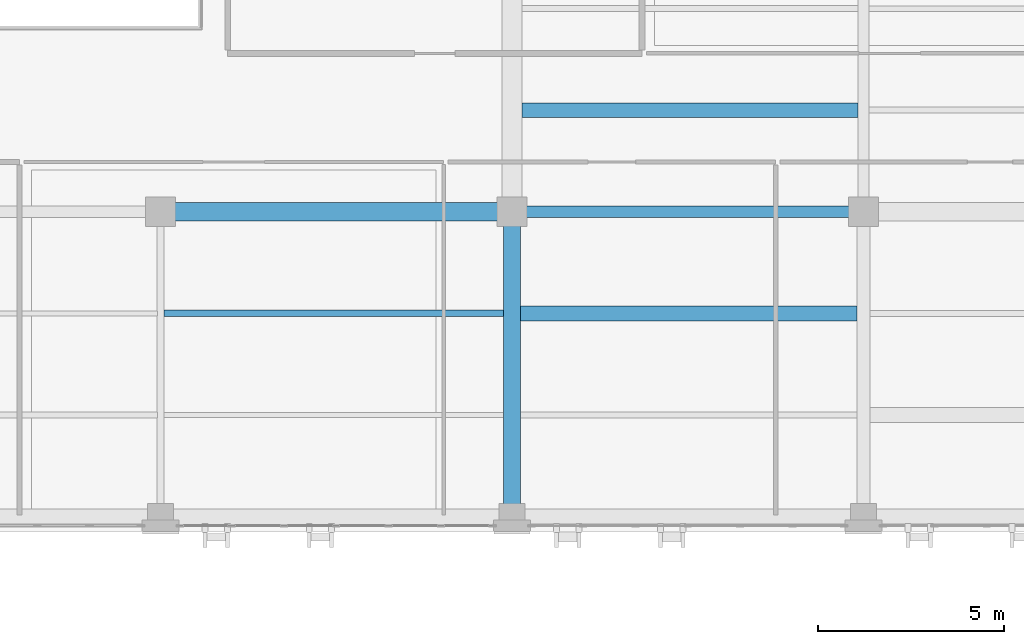
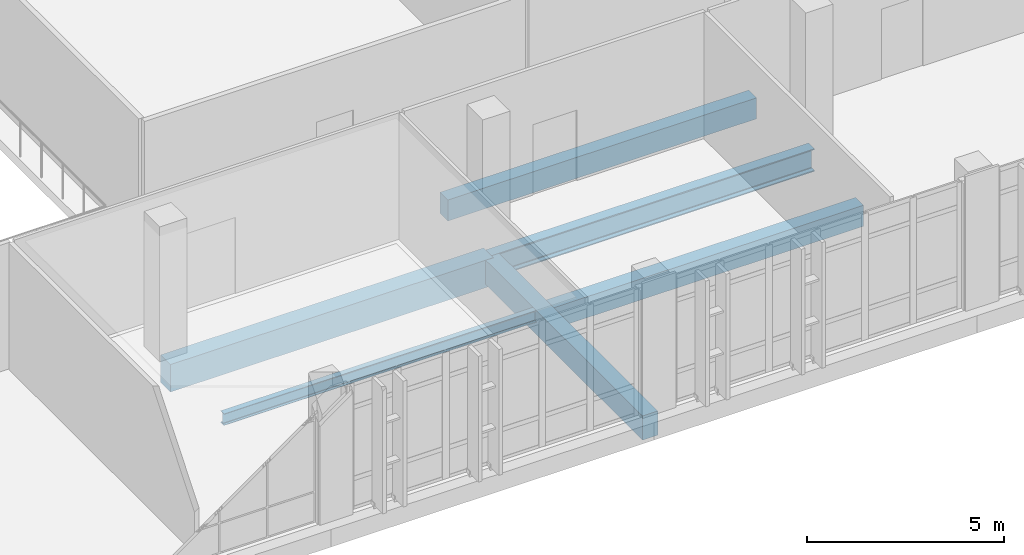
# One storey, part 35 of 193: 6 beams.
"""IFC4 building model written with IfcOpenShell, lengths in metres."""

from ifc_helpers import new_model, si_unit, direction, frame, origin, origin_2d, place, context, subcontext, project, spatial, rectangle, i_section, extrude, material, material_profile, profile_set, type_object, element, save


model = new_model("IFC4")

# Units and contexts
model_context = context("Model", 3, precision=1e-05, world=origin(), true_north=direction((0.0, 1.0)))
body_context = subcontext(model_context, "Body", "Model", "MODEL_VIEW")
ifc_project = project(units=[si_unit("LENGTHUNIT", "METRE"), si_unit("AREAUNIT", "SQUARE_METRE"), si_unit("VOLUMEUNIT", "CUBIC_METRE"), si_unit("PLANEANGLEUNIT", "RADIAN"), si_unit("MASSUNIT", "GRAM", prefix="KILO")], contexts=[model_context])

# Site, building, storey
site_placement = place(None, origin())
site = spatial("IfcSite", under=ifc_project, at=site_placement, CompositionType="ELEMENT")
building_placement = place(site_placement, origin())
building = spatial("IfcBuilding", under=site, at=building_placement, Name="Qalavern Law Courts", CompositionType="ELEMENT")
storey_placement = place(building_placement, frame((0.0, 0.0, 10.199951171875)))
storey = spatial("IfcBuildingStorey", under=building, at=storey_placement, Name="L02", CompositionType="ELEMENT", Elevation=10.199951171875)

# Beams
ifc_material_1 = material(Name="Steel S355", Category="steel")
ifc_material_profile_1 = material_profile(ifc_material_1, i_section(OverallWidth=0.300048828125, OverallDepth=0.699951171875, WebThickness=0.01708984375, FlangeThickness=0.031982421875, FilletRadius=0.027099609375, at=origin_2d()), Name="HEB 700")
ifc_profile_set_1 = profile_set([ifc_material_profile_1], Name="Steel S355")
beam_type_1 = type_object("IfcBeamType", Name="STR-BM-HEB700", PredefinedType="BEAM", material=ifc_profile_set_1)
beam_1_placement = place(storey_placement, frame((72.43701171875, 13.800048828125, -0.639892578125), z_axis=(1.0, 0.0, 0.0), x_axis=(0.0, 1.0, 0.0)))
element("IfcBeam", 1, at=beam_1_placement, inside=storey, type_object=beam_type_1, Name="V2 X-beam 2-5 L02", PredefinedType="BEAM", context=body_context, shape_type="SweptSolid", body=[
    extrude(i_section(OverallWidth=0.300048828125, OverallDepth=0.699951171875, WebThickness=0.01708984375, FlangeThickness=0.031982421875, FilletRadius=0.027099609375, at=origin_2d()), origin(), (0.0, 0.0, 1.0), 9.454345703125),
])
ifc_material_2 = material(Name="Concrete C40/50", Category="concrete")
ifc_material_profile_2 = material_profile(ifc_material_2, rectangle(XDim=0.449951171875, YDim=0.75, at=origin_2d()), Name="RC 450x750")
ifc_profile_set_2 = profile_set([ifc_material_profile_2], Name="Concrete C40/50")
beam_type_2 = type_object("IfcBeamType", Name="STR-BM-RC450x750", PredefinedType="BEAM", material=ifc_profile_set_2)
beam_2_placement = place(storey_placement, frame((72.43701171875, 5.60009765625, -0.6650390625), z_axis=(0.0, 1.0, 0.0), x_axis=(-1.0, 0.0, 0.0)))
element("IfcBeam", 2, at=beam_2_placement, inside=storey, type_object=beam_type_2, Name="V2 Y-beam 5-1 L02", PredefinedType="BEAM", context=body_context, shape_type="SweptSolid", body=[
    extrude(rectangle(XDim=0.449951171875, YDim=0.75, at=origin_2d()), origin(), (0.0, 0.0, 1.0), 8.199951171875),
])
ifc_material_profile_3 = material_profile(ifc_material_2, rectangle(XDim=0.5, YDim=0.85009765625, at=origin_2d()), Name="RC 500x850")
ifc_profile_set_3 = profile_set([ifc_material_profile_3], Name="Concrete C40/50")
beam_type_3 = type_object("IfcBeamType", Name="STR-BM-RC500x850", PredefinedType="BEAM", material=ifc_profile_set_3)
beam_3_placement = place(storey_placement, frame((62.98291015625, 13.800048828125, -0.71484375), z_axis=(1.0, 0.0, 0.0), x_axis=(0.0, 1.0, 0.0)))
element("IfcBeam", 3, at=beam_3_placement, inside=storey, type_object=beam_type_3, Name="V2 X-beam 2-4 L02", PredefinedType="BEAM", context=body_context, shape_type="SweptSolid", body=[
    extrude(rectangle(XDim=0.5, YDim=0.85009765625, at=origin_2d()), origin(), (0.0, 0.0, 1.0), 9.4541015625),
])
ifc_material_profile_4 = material_profile(ifc_material_1, i_section(OverallWidth=0.169921875, OverallDepth=0.360107421875, WebThickness=0.008056640625, FlangeThickness=0.0126953125, FilletRadius=0.01806640625, at=origin_2d()), Name="IPE 360")
ifc_profile_set_4 = profile_set([ifc_material_profile_4], Name="Steel S355")
beam_type_4 = type_object("IfcBeamType", Name="STR-JST-IPE360", PredefinedType="JOIST", material=ifc_profile_set_4)
beam_4_placement = place(storey_placement, frame((63.07080078125, 11.066650390625, -0.469970703125), z_axis=(1.0, 0.0, 0.0), x_axis=(0.0, 1.0, 0.0)))
element("IfcBeam", 4, at=beam_4_placement, inside=storey, type_object=beam_type_4, Name="V2 secondary joist 4.1.2 L02", PredefinedType="JOIST", context=body_context, shape_type="SweptSolid", body=[
    extrude(i_section(OverallWidth=0.169921875, OverallDepth=0.360107421875, WebThickness=0.008056640625, FlangeThickness=0.0126953125, FilletRadius=0.01806640625, at=origin_2d()), origin(), (0.0, 0.0, 1.0), 9.143310546875),
])
ifc_material_3 = material(Name="Concrete C35/45", Category="concrete")
ifc_material_profile_5 = material_profile(ifc_material_3, rectangle(XDim=0.39990234375, YDim=0.64990234375, at=origin_2d()), Name="RC 400x650")
ifc_profile_set_5 = profile_set([ifc_material_profile_5], Name="Concrete C35/45")
beam_type_5 = type_object("IfcBeamType", Name="STR-JST-RC400x650", PredefinedType="JOIST", material=ifc_profile_set_5)
beam_5_placement = place(storey_placement, frame((72.66015625, 11.066650390625, -0.614990234375), z_axis=(1.0, 0.0, 0.0), x_axis=(0.0, 1.0, 0.0)))
element("IfcBeam", 5, at=beam_5_placement, inside=storey, type_object=beam_type_5, Name="V2 secondary joist 5.1.2 L02", PredefinedType="JOIST", context=body_context, shape_type="SweptSolid", body=[
    extrude(rectangle(XDim=0.39990234375, YDim=0.64990234375, at=origin_2d()), origin(), (0.0, 0.0, 1.0), 9.058349609375),
])
beam_6_placement = place(storey_placement, frame((72.710205078125, 16.533203125, -0.614990234375), z_axis=(1.0, 0.0, 0.0), x_axis=(0.0, 1.0, 0.0)))
element("IfcBeam", 6, at=beam_6_placement, inside=storey, type_object=beam_type_5, Name="V2 secondary joist 5.2.1 L02", PredefinedType="JOIST", context=body_context, shape_type="SweptSolid", body=[
    extrude(rectangle(XDim=0.39990234375, YDim=0.64990234375, at=origin_2d()), origin(), (0.0, 0.0, 1.0), 9.033203125),
])

save(model, "model.ifc")
